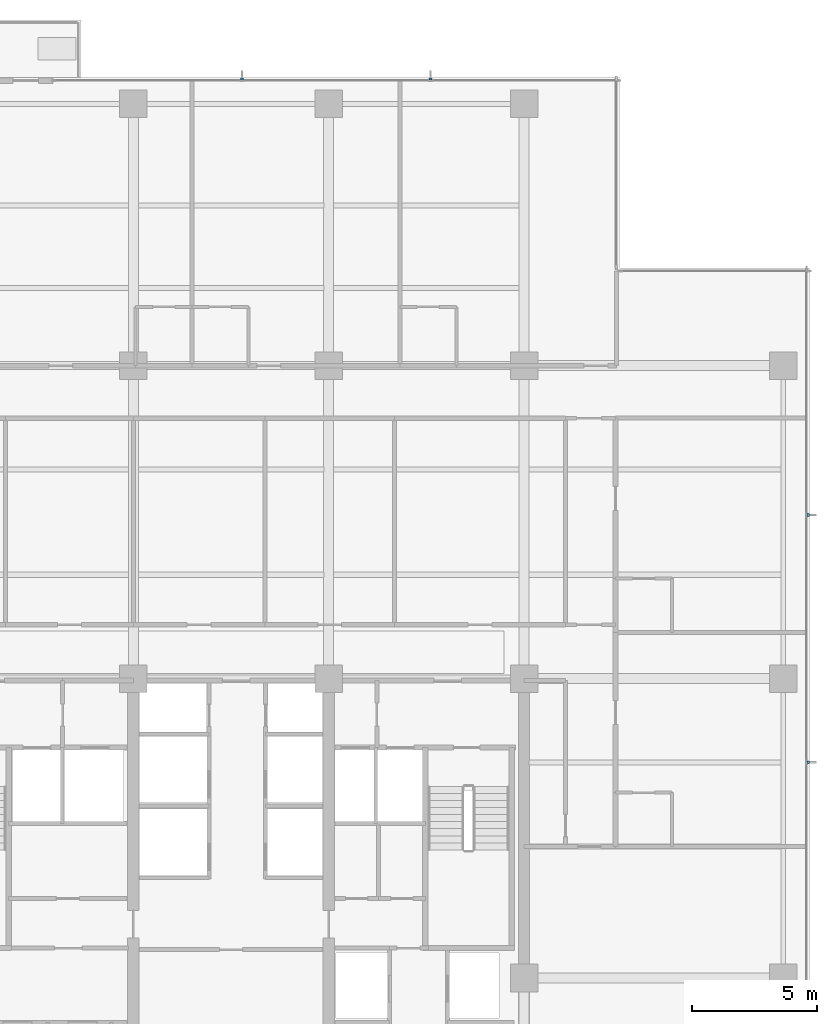
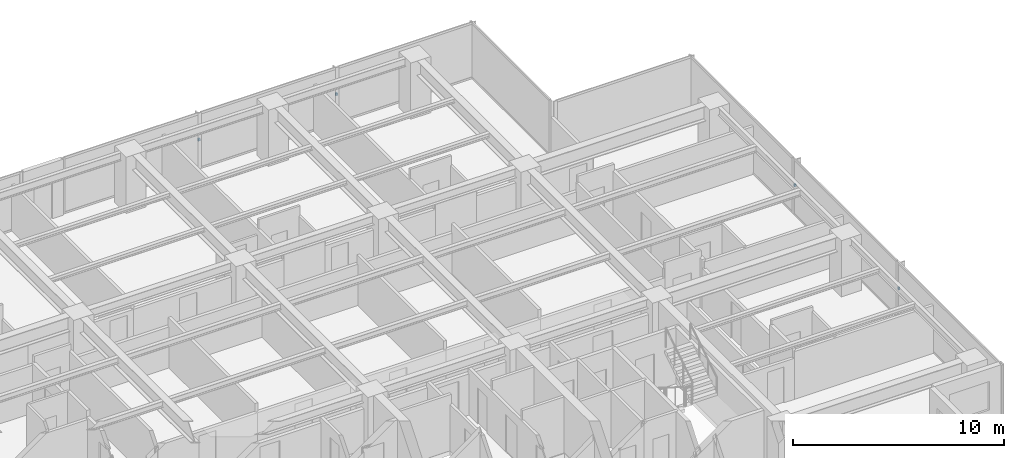
# One storey, part 13 of 15: 4 discrete accessories.
"""IFC4 building model written with IfcOpenShell, lengths in metres."""

from ifc_helpers import new_model, si_unit, direction, frame, origin, place, context, subcontext, project, spatial, polyline, outline, extrude, material, type_object, element, save


model = new_model("IFC4")

# Units and contexts
model_context = context("Model", 3, precision=1e-05, world=origin(), true_north=direction((0.0, 1.0)))
body_context = subcontext(model_context, "Body", "Model", "MODEL_VIEW")
ifc_project = project(units=[si_unit("LENGTHUNIT", "METRE"), si_unit("AREAUNIT", "SQUARE_METRE"), si_unit("VOLUMEUNIT", "CUBIC_METRE"), si_unit("PLANEANGLEUNIT", "RADIAN"), si_unit("MASSUNIT", "GRAM", prefix="KILO")], contexts=[model_context])

# Site, building, storey
site_placement = place(None, origin())
site = spatial("IfcSite", under=ifc_project, at=site_placement, CompositionType="ELEMENT")
building_placement = place(site_placement, origin())
building = spatial("IfcBuilding", under=site, at=building_placement, Name="Qalmaran Belvedere Hotel", CompositionType="ELEMENT")
storey_placement = place(building_placement, frame((0.0, 0.0, 142.10009765625)))
storey = spatial("IfcBuildingStorey", under=building, at=storey_placement, Name="L35", CompositionType="ELEMENT", Elevation=142.10009765625)

# Discrete accessories
ifc_material = material(Name="Stainless Steel 1.4401", Category="steel")
discrete_accessory_type = type_object("IfcDiscreteAccessoryType", Name="BRK-FIN-SS316", PredefinedType="BRACKET", material=ifc_material)
discrete_accessory_1_placement = place(storey_placement, frame((0.0, 0.0, 1.574951171875)))
element("IfcDiscreteAccessory", 1, at=discrete_accessory_1_placement, inside=storey, type_object=discrete_accessory_type, Name="L35 Fin Bracket 1", PredefinedType="BRACKET", context=body_context, shape_type="SweptSolid", body=[
    extrude(outline(polyline([(56.094970703125, 17.11181640625), (56.18994140625, 17.11181640625), (56.18994140625, 17.2216796875), (56.094970703125, 17.2216796875), (56.094970703125, 17.11181640625)])), origin(), (0.0, 0.0, 1.0), 0.139892578125),
])
discrete_accessory_2_placement = place(storey_placement, frame((0.0, 0.0, 1.574951171875)))
element("IfcDiscreteAccessory", 2, at=discrete_accessory_2_placement, inside=storey, type_object=discrete_accessory_type, Name="L35 Fin Bracket 2", PredefinedType="BRACKET", context=body_context, shape_type="SweptSolid", body=[
    extrude(outline(polyline([(56.094970703125, 26.978271484375), (56.18994140625, 26.978271484375), (56.18994140625, 27.08837890625), (56.094970703125, 27.08837890625), (56.094970703125, 26.978271484375)])), origin(), (0.0, 0.0, 1.0), 0.139892578125),
])
discrete_accessory_3_placement = place(storey_placement, frame((0.0, 0.0, 1.574951171875)))
element("IfcDiscreteAccessory", 3, at=discrete_accessory_3_placement, inside=storey, type_object=discrete_accessory_type, Name="L35 Fin Bracket 1", PredefinedType="BRACKET", context=body_context, shape_type="SweptSolid", body=[
    extrude(outline(polyline([(41.12158203125, 44.39501953125), (41.12158203125, 44.489990234375), (41.01171875, 44.489990234375), (41.01171875, 44.39501953125), (41.12158203125, 44.39501953125)])), origin(), (0.0, 0.0, 1.0), 0.139892578125),
])
discrete_accessory_4_placement = place(storey_placement, frame((0.0, 0.0, 1.574951171875)))
element("IfcDiscreteAccessory", 4, at=discrete_accessory_4_placement, inside=storey, type_object=discrete_accessory_type, Name="L35 Fin Bracket 2", PredefinedType="BRACKET", context=body_context, shape_type="SweptSolid", body=[
    extrude(outline(polyline([(33.58837890625, 44.39501953125), (33.58837890625, 44.489990234375), (33.478271484375, 44.489990234375), (33.478271484375, 44.39501953125), (33.58837890625, 44.39501953125)])), origin(), (0.0, 0.0, 1.0), 0.139892578125),
])

save(model, "model.ifc")
